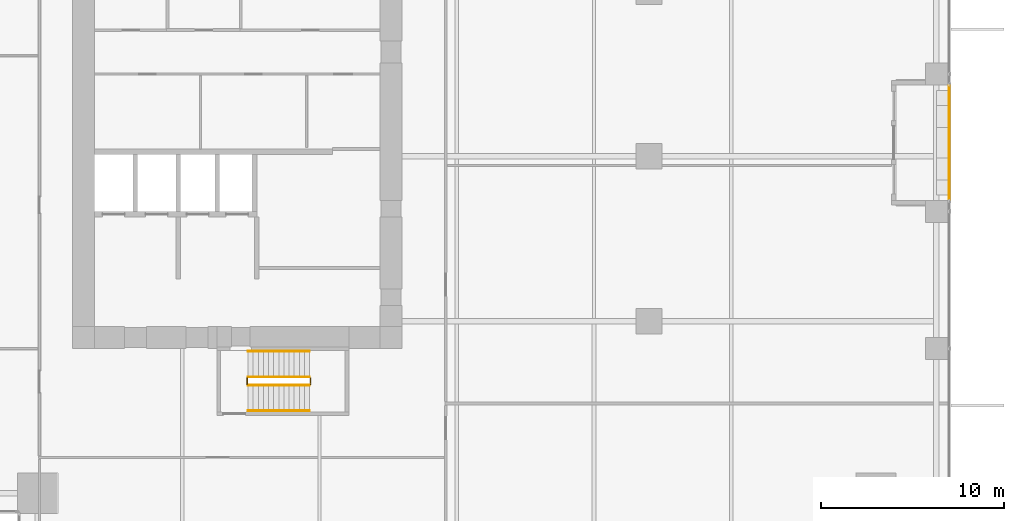
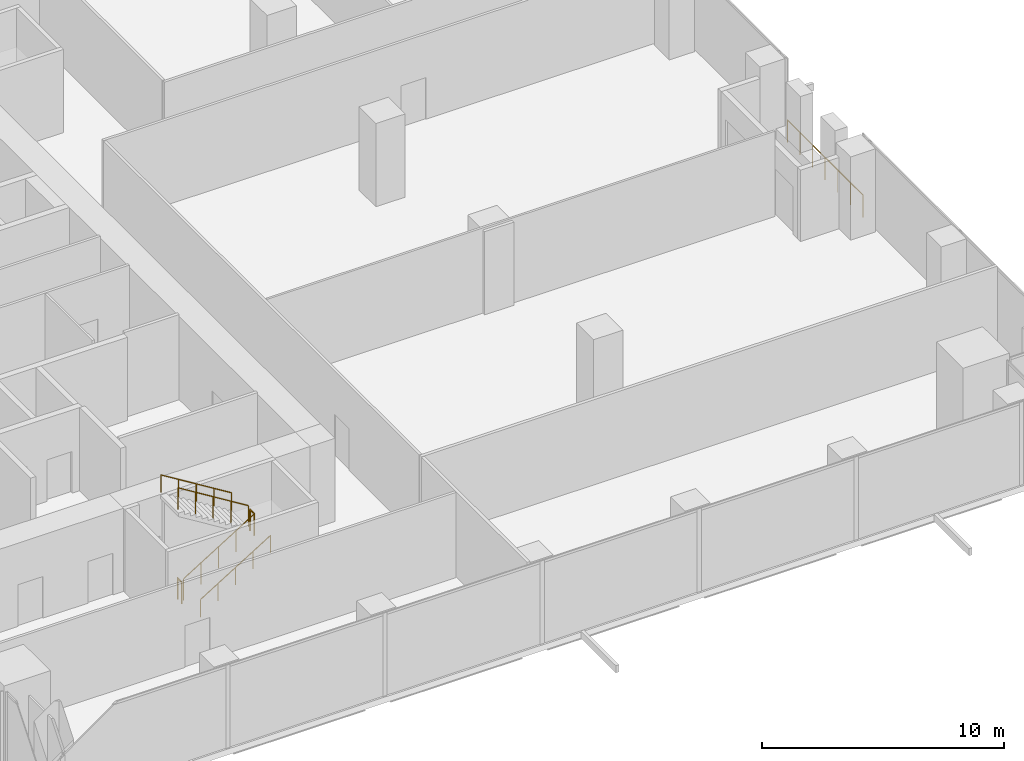
# One storey, part 31 of 33: 7 railings.
"""IFC4 building model written with IfcOpenShell, lengths in metres."""

from ifc_helpers import new_model, si_unit, direction, frame, origin, origin_2d, place, context, subcontext, project, spatial, circle, extrude, source, transform, mapped, material, type_object, element, save


model = new_model("IFC4")

# Units and contexts
model_context = context("Model", 3, precision=1e-05, world=origin(), true_north=direction((0.0, 1.0)))
body_context = subcontext(model_context, "Body", "Model", "MODEL_VIEW")
ifc_project = project(units=[si_unit("LENGTHUNIT", "METRE"), si_unit("AREAUNIT", "SQUARE_METRE"), si_unit("VOLUMEUNIT", "CUBIC_METRE"), si_unit("PLANEANGLEUNIT", "RADIAN"), si_unit("MASSUNIT", "GRAM", prefix="KILO")], contexts=[model_context])

# Site, building, storey
site_placement = place(None, origin())
site = spatial("IfcSite", under=ifc_project, at=site_placement, CompositionType="ELEMENT")
building_placement = place(site_placement, origin())
building = spatial("IfcBuilding", under=site, at=building_placement, Name="Khomas Fold Tower", CompositionType="ELEMENT")
storey_placement = place(building_placement, frame((0.0, 0.0, 78.0)))
storey = spatial("IfcBuildingStorey", under=building, at=storey_placement, Name="L16", CompositionType="ELEMENT", Elevation=78.0)

# Railings
ifc_material_1 = material(Name="Powder-coated steel", Category="steel")
railing_type_1 = type_object("IfcRailingType", Name="Balcony guard", PredefinedType="GUARDRAIL", material=ifc_material_1)
shared_shape_1 = source(origin(), body_context, "Body", "SweptSolid", [
    extrude(circle(Radius=0.02490234375, at=origin_2d()), frame((0.0, 0.0, 1.125), z_axis=(0.0, 1.0, 0.0), x_axis=(-1.0, 0.0, 0.0)), (0.0, 0.0, 1.0), 6.240234375),
    extrude(circle(Radius=0.02001953125, at=origin_2d()), origin(), (0.0, 0.0, 1.0), 1.099853515625),
    extrude(circle(Radius=0.02001953125, at=origin_2d()), frame((0.0, 1.0400390625, 0.0)), (0.0, 0.0, 1.0), 1.099853515625),
    extrude(circle(Radius=0.02001953125, at=origin_2d()), frame((0.0, 2.080078125, 0.0)), (0.0, 0.0, 1.0), 1.099853515625),
    extrude(circle(Radius=0.02001953125, at=origin_2d()), frame((0.0, 3.1201171875, 0.0)), (0.0, 0.0, 1.0), 1.099853515625),
    extrude(circle(Radius=0.02001953125, at=origin_2d()), frame((0.0, 4.16015625, 0.0)), (0.0, 0.0, 1.0), 1.099853515625),
    extrude(circle(Radius=0.02001953125, at=origin_2d()), frame((0.0, 5.2001953125, 0.0)), (0.0, 0.0, 1.0), 1.099853515625),
    extrude(circle(Radius=0.02001953125, at=origin_2d()), frame((0.0, 6.240234375, 0.0)), (0.0, 0.0, 1.0), 1.099853515625),
])
railing_1_placement = place(storey_placement, frame((53.89990234375, 20.1298828125, -0.044921875)))
element("IfcRailing", 1, at=railing_1_placement, inside=storey, type_object=railing_type_1, Name="Balcony guard BAL-L16-E2", PredefinedType="GUARDRAIL", context=body_context, shape_type="MappedRepresentation", body=[
    mapped(shared_shape_1, transform((0.0, 0.0, 0.0))),
])
ifc_material_2 = material(Name="Steel balustrade", Category="steel")
railing_type_2 = type_object("IfcRailingType", Name="Stair guard", PredefinedType="GUARDRAIL", material=ifc_material_2)
shared_shape_2 = source(origin(), body_context, "Body", "SweptSolid", [
    extrude(circle(Radius=0.02392578125, at=origin_2d()), frame((0.0, 0.0, 1.076171875), z_axis=(0.850606129759, 0.0, 0.525803396734), x_axis=(0.0, 1.0, 0.0)), (0.0, 0.0, 1.0), 3.949951171875),
    extrude(circle(Radius=0.02099609375, at=origin_2d()), origin(), (0.0, 0.0, 1.0), 1.052001953125),
    extrude(circle(Radius=0.02099609375, at=origin_2d()), frame((0.83984375, 0.0, 0.519287109375)), (0.0, 0.0, 1.0), 1.052001953125),
    extrude(circle(Radius=0.02099609375, at=origin_2d()), frame((1.679931640625, 0.0, 1.03857421875)), (0.0, 0.0, 1.0), 1.052001953125),
    extrude(circle(Radius=0.02099609375, at=origin_2d()), frame((2.52001953125, 0.0, 1.5576171875)), (0.0, 0.0, 1.0), 1.052001953125),
    extrude(circle(Radius=0.02099609375, at=origin_2d()), frame((3.35986328125, 0.0, 2.076904296875)), (0.0, 0.0, 1.0), 1.052001953125),
])
railing_2_placement = place(storey_placement, frame((15.60009765625, 10.0, 0.173095703125)))
element("IfcRailing", 2, at=railing_2_placement, inside=storey, type_object=railing_type_2, Name="L16 ST2 stair guard 1", PredefinedType="GUARDRAIL", context=body_context, shape_type="MappedRepresentation", body=[
    mapped(shared_shape_2, transform((0.0, 0.0, 0.0))),
])
shared_shape_3 = source(origin(), body_context, "Body", "SweptSolid", [
    extrude(circle(Radius=0.02392578125, at=origin_2d()), frame((0.0, 0.0, 1.076171875), z_axis=(0.0, 1.0, 0.0), x_axis=(-1.0, 0.0, 0.0)), (0.0, 0.0, 1.0), 0.349853515625),
    extrude(circle(Radius=0.02099609375, at=origin_2d()), origin(), (0.0, 0.0, 1.0), 1.052001953125),
    extrude(circle(Radius=0.02099609375, at=origin_2d()), frame((0.0, 0.349853515625, 0.0)), (0.0, 0.0, 1.0), 1.052001953125),
])
for number, where, name in (
    (3, (19.010009765625, 10.050048828125, 2.25), "L16 ST2 stair guard 2"),
    (4, (15.550048828125, 10.050048828125, 0.0), "L16 ST2 stair guard 4"),
):
    element("IfcRailing", number, at=place(storey_placement, frame(where)), inside=storey, type_object=railing_type_2, Name=name, PredefinedType="GUARDRAIL", context=body_context, shape_type="MappedRepresentation", body=[
        mapped(shared_shape_3, transform((0.0, 0.0, 0.0))),
    ])
shared_shape_4 = source(origin(), body_context, "Body", "SweptSolid", [
    extrude(circle(Radius=0.02392578125, at=origin_2d()), frame((0.0, 0.0, 1.076171875), z_axis=(-0.850606129759, 0.0, 0.525803396734), x_axis=(0.0, -1.0, 0.0)), (0.0, 0.0, 1.0), 3.949951171875),
    extrude(circle(Radius=0.02099609375, at=origin_2d()), origin(), (0.0, 0.0, 1.0), 1.052001953125),
    extrude(circle(Radius=0.02099609375, at=origin_2d()), frame((-0.83984375, 0.0, 0.519287109375)), (0.0, 0.0, 1.0), 1.052001953125),
    extrude(circle(Radius=0.02099609375, at=origin_2d()), frame((-1.679931640625, 0.0, 1.03857421875)), (0.0, 0.0, 1.0), 1.052001953125),
    extrude(circle(Radius=0.02099609375, at=origin_2d()), frame((-2.52001953125, 0.0, 1.5576171875)), (0.0, 0.0, 1.0), 1.052001953125),
    extrude(circle(Radius=0.02099609375, at=origin_2d()), frame((-3.35986328125, 0.0, 2.076904296875)), (0.0, 0.0, 1.0), 1.052001953125),
])
railing_3_placement = place(storey_placement, frame((18.9599609375, 10.449951171875, 2.423095703125)))
element("IfcRailing", 5, at=railing_3_placement, inside=storey, type_object=railing_type_2, Name="L16 ST2 stair guard 3", PredefinedType="GUARDRAIL", context=body_context, shape_type="MappedRepresentation", body=[
    mapped(shared_shape_4, transform((0.0, 0.0, 0.0))),
])
ifc_material_3 = material(Name="Steel handrail", Category="steel")
railing_type_3 = type_object("IfcRailingType", Name="Stair handrail", PredefinedType="HANDRAIL", material=ifc_material_3)
shared_shape_5 = source(origin(), body_context, "Body", "SweptSolid", [
    extrude(circle(Radius=0.02392578125, at=origin_2d()), frame((0.0, 0.0, 0.8759765625), z_axis=(0.850606129759, 0.0, 0.525803396734), x_axis=(0.0, 1.0, 0.0)), (0.0, 0.0, 1.0), 3.949951171875),
    extrude(circle(Radius=0.02099609375, at=origin_2d()), origin(), (0.0, 0.0, 1.0), 0.851806640625),
    extrude(circle(Radius=0.02099609375, at=origin_2d()), frame((0.83984375, 0.0, 0.519287109375)), (0.0, 0.0, 1.0), 0.851806640625),
    extrude(circle(Radius=0.02099609375, at=origin_2d()), frame((1.679931640625, 0.0, 1.03857421875)), (0.0, 0.0, 1.0), 0.851806640625),
    extrude(circle(Radius=0.02099609375, at=origin_2d()), frame((2.52001953125, 0.0, 1.5576171875)), (0.0, 0.0, 1.0), 0.851806640625),
    extrude(circle(Radius=0.02099609375, at=origin_2d()), frame((3.35986328125, 0.0, 2.076904296875)), (0.0, 0.0, 1.0), 0.851806640625),
])
railing_4_placement = place(storey_placement, frame((15.60009765625, 8.60009765625, 0.173095703125)))
element("IfcRailing", 6, at=railing_4_placement, inside=storey, type_object=railing_type_3, Name="L16 ST2 stair handrail 1", PredefinedType="HANDRAIL", context=body_context, shape_type="MappedRepresentation", body=[
    mapped(shared_shape_5, transform((0.0, 0.0, 0.0))),
])
shared_shape_6 = source(origin(), body_context, "Body", "SweptSolid", [
    extrude(circle(Radius=0.02392578125, at=origin_2d()), frame((0.0, 0.0, 0.8759765625), z_axis=(-0.850606129759, 0.0, 0.525803396734), x_axis=(0.0, -1.0, 0.0)), (0.0, 0.0, 1.0), 3.949951171875),
    extrude(circle(Radius=0.02099609375, at=origin_2d()), origin(), (0.0, 0.0, 1.0), 0.851806640625),
    extrude(circle(Radius=0.02099609375, at=origin_2d()), frame((-0.83984375, 0.0, 0.519287109375)), (0.0, 0.0, 1.0), 0.851806640625),
    extrude(circle(Radius=0.02099609375, at=origin_2d()), frame((-1.679931640625, 0.0, 1.03857421875)), (0.0, 0.0, 1.0), 0.851806640625),
    extrude(circle(Radius=0.02099609375, at=origin_2d()), frame((-2.52001953125, 0.0, 1.5576171875)), (0.0, 0.0, 1.0), 0.851806640625),
    extrude(circle(Radius=0.02099609375, at=origin_2d()), frame((-3.35986328125, 0.0, 2.076904296875)), (0.0, 0.0, 1.0), 0.851806640625),
])
railing_5_placement = place(storey_placement, frame((18.9599609375, 11.85009765625, 2.423095703125)))
element("IfcRailing", 7, at=railing_5_placement, inside=storey, type_object=railing_type_3, Name="L16 ST2 stair handrail 2", PredefinedType="HANDRAIL", context=body_context, shape_type="MappedRepresentation", body=[
    mapped(shared_shape_6, transform((0.0, 0.0, 0.0))),
])

save(model, "model.ifc")
